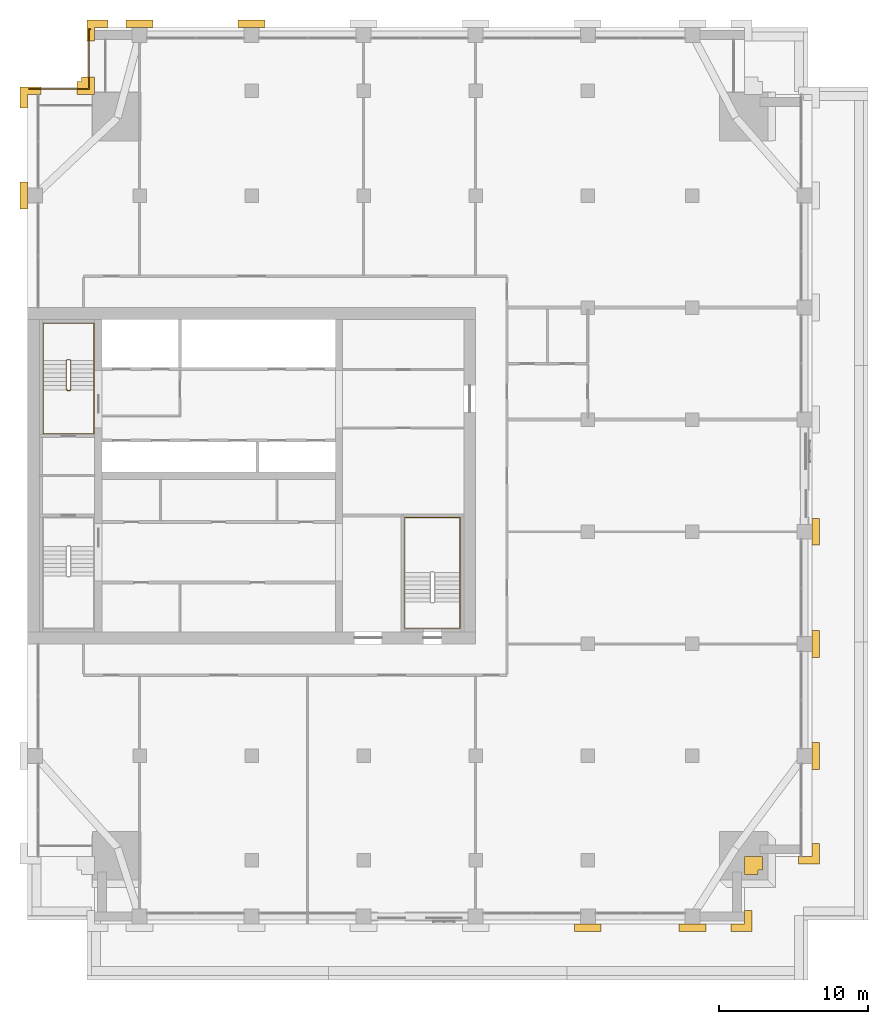
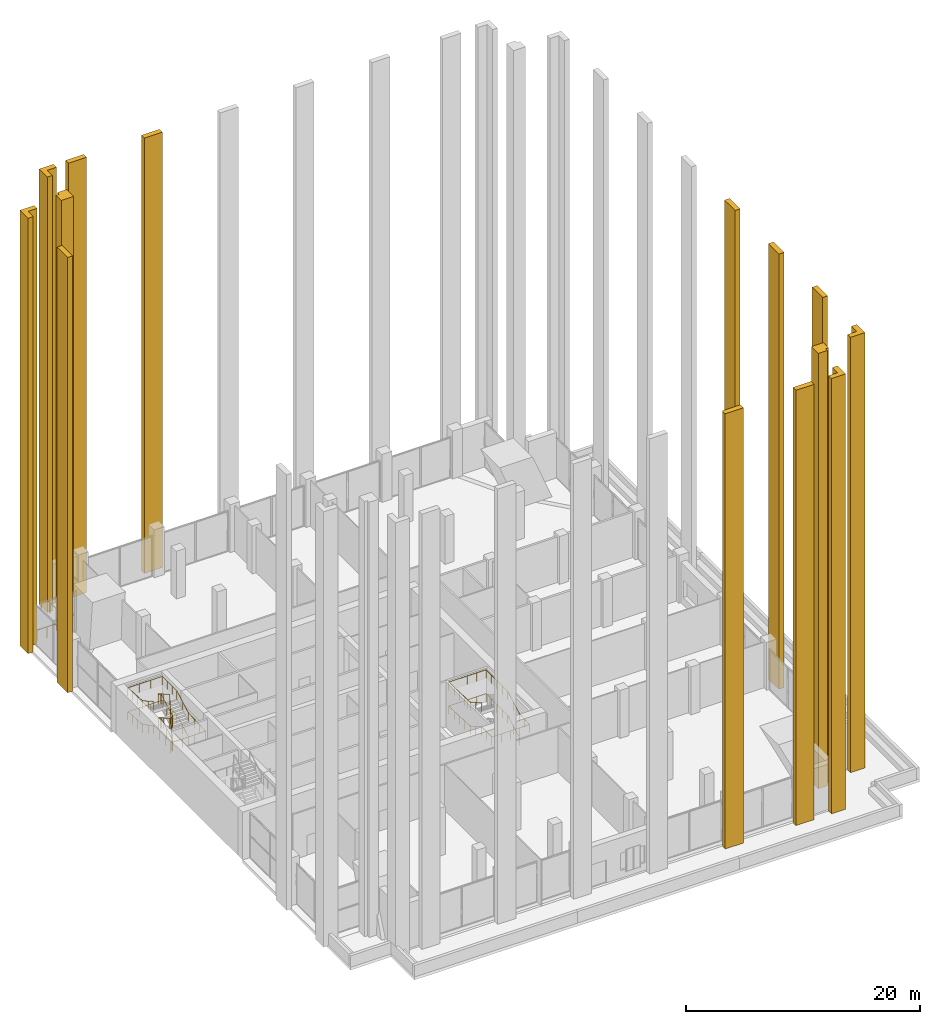
# One storey, part 18 of 19: 14 coverings, 4 railings.
"""IFC4 building model written with IfcOpenShell, lengths in metres."""

from ifc_helpers import new_model, si_unit, direction, frame, origin, origin_2d, place, context, subcontext, project, spatial, polyline, circle, outline, extrude, material, layer, layer_set, type_object, element, save


model = new_model("IFC4")

# Units and contexts
model_context = context("Model", 3, precision=1e-05, world=origin(), true_north=direction((0.0, 1.0)))
body_context = subcontext(model_context, "Body", "Model", "MODEL_VIEW")
ifc_project = project(units=[si_unit("LENGTHUNIT", "METRE"), si_unit("AREAUNIT", "SQUARE_METRE"), si_unit("VOLUMEUNIT", "CUBIC_METRE"), si_unit("PLANEANGLEUNIT", "RADIAN"), si_unit("MASSUNIT", "GRAM", prefix="KILO")], contexts=[model_context])

# Site, building, storey
site_placement = place(None, origin())
site = spatial("IfcSite", under=ifc_project, at=site_placement, CompositionType="ELEMENT")
building_placement = place(site_placement, origin())
building = spatial("IfcBuilding", under=site, at=building_placement, Name="Tamorin Gate", CompositionType="ELEMENT")
storey_placement = place(building_placement, frame((0.0, 0.0, 174.199951171875)))
storey = spatial("IfcBuildingStorey", under=building, at=storey_placement, Name="L42", CompositionType="ELEMENT", Elevation=174.199951171875)

# Coverings
ifc_material_1 = material(Name="Precast concrete C40/50", Category="concrete")
ifc_layer_1 = layer(ifc_material_1, 0.5)
ifc_layer_set_1 = layer_set([ifc_layer_1], Name="Corner pier cladding 500")
covering_type_1 = type_object("IfcCoveringType", Name="Corner pier cladding 500", PredefinedType="CLADDING", material=ifc_layer_set_1)
covering_1_placement = place(storey_placement, origin())
element("IfcCovering", 1, at=covering_1_placement, inside=storey, type_object=covering_type_1, Name="Corner pier", PredefinedType="CLADDING", context=body_context, shape_type="SweptSolid", body=[
    extrude(outline(polyline([(78.5, 40.75), (77.10009765625, 40.75), (77.10009765625, 41.25), (78.0, 41.25), (78.0, 42.14990234375), (78.5, 42.14990234375), (78.5, 40.75)])), origin(), (0.0, 0.0, 1.0), 45.5),
])
covering_2_placement = place(storey_placement, origin())
element("IfcCovering", 2, at=covering_2_placement, inside=storey, type_object=covering_type_1, Name="Corner pier", PredefinedType="CLADDING", context=body_context, shape_type="SweptSolid", body=[
    extrude(outline(polyline([(83.0, 45.25), (81.60009765625, 45.25), (81.60009765625, 45.75), (82.5, 45.75), (82.5, 46.64990234375), (83.0, 46.64990234375), (83.0, 45.25)])), origin(), (0.0, 0.0, 1.0), 45.5),
])
covering_3_placement = place(storey_placement, origin())
element("IfcCovering", 3, at=covering_3_placement, inside=storey, type_object=covering_type_1, Name="Corner pier", PredefinedType="CLADDING", context=body_context, shape_type="SweptSolid", body=[
    extrude(outline(polyline([(34.0, 101.75), (35.39990234375, 101.75), (35.39990234375, 101.25), (34.5, 101.25), (34.5, 100.35009765625), (34.0, 100.35009765625), (34.0, 101.75)])), origin(), (0.0, 0.0, 1.0), 45.5),
])
covering_4_placement = place(storey_placement, origin())
element("IfcCovering", 4, at=covering_4_placement, inside=storey, type_object=covering_type_1, Name="Corner pier", PredefinedType="CLADDING", context=body_context, shape_type="SweptSolid", body=[
    extrude(outline(polyline([(29.5, 97.25), (30.89990234375, 97.25), (30.89990234375, 96.75), (30.0, 96.75), (30.0, 95.85009765625), (29.5, 95.85009765625), (29.5, 97.25)])), origin(), (0.0, 0.0, 1.0), 45.5),
])
ifc_layer_2 = layer(ifc_material_1, 0.89990234375)
ifc_layer_set_2 = layer_set([ifc_layer_2], Name="Corner pier cladding 900")
covering_type_2 = type_object("IfcCoveringType", Name="Corner pier cladding 900", PredefinedType="CLADDING", material=ifc_layer_set_2)
covering_5_placement = place(storey_placement, origin())
element("IfcCovering", 5, at=covering_5_placement, inside=storey, type_object=covering_type_2, Name="Corner pier", PredefinedType="CLADDING", context=body_context, shape_type="SweptSolid", body=[
    extrude(outline(polyline([(78.89990234375, 44.85009765625), (78.89990234375, 44.550048828125), (78.0, 44.550048828125), (78.0, 45.75), (79.199951171875, 45.75), (79.199951171875, 44.85009765625), (78.89990234375, 44.85009765625)])), origin(), (0.0, 0.0, 1.0), 45.5),
])
covering_6_placement = place(storey_placement, origin())
element("IfcCovering", 6, at=covering_6_placement, inside=storey, type_object=covering_type_2, Name="Corner pier", PredefinedType="CLADDING", context=body_context, shape_type="SweptSolid", body=[
    extrude(outline(polyline([(33.60009765625, 97.64990234375), (33.60009765625, 97.949951171875), (34.5, 97.949951171875), (34.5, 96.75), (33.300048828125, 96.75), (33.300048828125, 97.64990234375), (33.60009765625, 97.64990234375)])), origin(), (0.0, 0.0, 1.0), 45.5),
])
ifc_layer_3 = layer(ifc_material_1, 0.5)
ifc_layer_set_3 = layer_set([ifc_layer_3], Name="Precast concrete C40/50")
covering_type_3 = type_object("IfcCoveringType", Name="Precast pier 1800x500", PredefinedType="CLADDING", material=ifc_layer_set_3)
covering_7_placement = place(storey_placement, origin())
element("IfcCovering", 7, at=covering_7_placement, inside=storey, type_object=covering_type_3, Name="Precast pier", PredefinedType="CLADDING", context=body_context, shape_type="SweptSolid", body=[
    extrude(outline(polyline([(66.60009765625, 41.25), (68.39990234375, 41.25), (68.39990234375, 40.75), (66.60009765625, 40.75), (66.60009765625, 41.25)])), origin(), (0.0, 0.0, 1.0), 45.5),
])
covering_8_placement = place(storey_placement, origin())
element("IfcCovering", 8, at=covering_8_placement, inside=storey, type_object=covering_type_3, Name="Precast pier", PredefinedType="CLADDING", context=body_context, shape_type="SweptSolid", body=[
    extrude(outline(polyline([(73.60009765625, 41.25), (75.39990234375, 41.25), (75.39990234375, 40.75), (73.60009765625, 40.75), (73.60009765625, 41.25)])), origin(), (0.0, 0.0, 1.0), 45.5),
])
covering_9_placement = place(storey_placement, origin())
element("IfcCovering", 9, at=covering_9_placement, inside=storey, type_object=covering_type_3, Name="Precast pier", PredefinedType="CLADDING", context=body_context, shape_type="SweptSolid", body=[
    extrude(outline(polyline([(38.39990234375, 101.25), (36.60009765625, 101.25), (36.60009765625, 101.75), (38.39990234375, 101.75), (38.39990234375, 101.25)])), origin(), (0.0, 0.0, 1.0), 45.5),
])
covering_10_placement = place(storey_placement, origin())
element("IfcCovering", 10, at=covering_10_placement, inside=storey, type_object=covering_type_3, Name="Precast pier", PredefinedType="CLADDING", context=body_context, shape_type="SweptSolid", body=[
    extrude(outline(polyline([(45.89990234375, 101.25), (44.10009765625, 101.25), (44.10009765625, 101.75), (45.89990234375, 101.75), (45.89990234375, 101.25)])), origin(), (0.0, 0.0, 1.0), 45.5),
])
covering_11_placement = place(storey_placement, origin())
element("IfcCovering", 11, at=covering_11_placement, inside=storey, type_object=covering_type_3, Name="Precast pier", PredefinedType="CLADDING", context=body_context, shape_type="SweptSolid", body=[
    extrude(outline(polyline([(30.0, 90.89990234375), (30.0, 89.10009765625), (29.5, 89.10009765625), (29.5, 90.89990234375), (30.0, 90.89990234375)])), origin(), (0.0, 0.0, 1.0), 45.5),
])
covering_12_placement = place(storey_placement, origin())
element("IfcCovering", 12, at=covering_12_placement, inside=storey, type_object=covering_type_3, Name="Precast pier", PredefinedType="CLADDING", context=body_context, shape_type="SweptSolid", body=[
    extrude(outline(polyline([(82.5, 51.60009765625), (82.5, 53.39990234375), (83.0, 53.39990234375), (83.0, 51.60009765625), (82.5, 51.60009765625)])), origin(), (0.0, 0.0, 1.0), 45.5),
])
covering_13_placement = place(storey_placement, origin())
element("IfcCovering", 13, at=covering_13_placement, inside=storey, type_object=covering_type_3, Name="Precast pier", PredefinedType="CLADDING", context=body_context, shape_type="SweptSolid", body=[
    extrude(outline(polyline([(82.5, 59.10009765625), (82.5, 60.89990234375), (83.0, 60.89990234375), (83.0, 59.10009765625), (82.5, 59.10009765625)])), origin(), (0.0, 0.0, 1.0), 45.5),
])
covering_14_placement = place(storey_placement, origin())
element("IfcCovering", 14, at=covering_14_placement, inside=storey, type_object=covering_type_3, Name="Precast pier", PredefinedType="CLADDING", context=body_context, shape_type="SweptSolid", body=[
    extrude(outline(polyline([(82.5, 66.60009765625), (82.5, 68.39990234375), (83.0, 68.39990234375), (83.0, 66.60009765625), (82.5, 66.60009765625)])), origin(), (0.0, 0.0, 1.0), 45.5),
])

# Railings
ifc_material_2 = material(Name="Painted steel balustrade", Category="steel")
railing_type_1 = type_object("IfcRailingType", Name="Stair guard 1100", PredefinedType="GUARDRAIL", material=ifc_material_2)
railing_1_placement = place(storey_placement, frame((32.89990234375, 77.0, 0.15625)))
element("IfcRailing", 15, at=railing_1_placement, inside=storey, type_object=railing_type_1, Name="L42 ST2 stair guard 1", PredefinedType="GUARDRAIL", context=body_context, shape_type="SweptSolid", body=[
    extrude(circle(Radius=0.02392578125, at=origin_2d()), frame((0.0, 0.0, 1.076171875), z_axis=(0.0, 0.873232148454, 0.487304437602), x_axis=(-1.0, 0.0, 0.0)), (0.0, 0.0, 1.0), 2.244384765625),
    extrude(circle(Radius=0.02392578125, at=origin_2d()), frame((0.0, 1.9599609375, 2.169921875), z_axis=(-0.705375805398, 0.708833529934, 0.0), x_axis=(-0.708833529934, -0.705375805398, 0.0)), (0.0, 0.0, 1.0), 0.070556640625),
    extrude(circle(Radius=0.02392578125, at=origin_2d()), frame((-0.0498046875, 2.010009765625, 2.169921875), z_axis=(-1.0, 0.0, 0.0), x_axis=(0.0, -1.0, 0.0)), (0.0, 0.0, 1.0), 0.2001953125),
    extrude(circle(Radius=0.02392578125, at=origin_2d()), frame((-0.25, 2.010009765625, 2.169921875), z_axis=(-0.290469530425, -0.291893400672, 0.911276958196), x_axis=(0.708833529934, -0.705375805398, 0.0)), (0.0, 0.0, 1.0), 0.17138671875),
    extrude(circle(Radius=0.02392578125, at=origin_2d()), frame((-0.2998046875, 1.9599609375, 2.326171875), z_axis=(0.0, -0.873232148454, 0.487304437602), x_axis=(1.0, 0.0, 0.0)), (0.0, 0.0, 1.0), 2.244384765625),
    extrude(circle(Radius=0.02392578125, at=origin_2d()), frame((-0.2998046875, 0.0, 3.419921875), z_axis=(0.98054382908, -0.196300278283, 0.0), x_axis=(0.196300278283, 0.98054382908, 0.0)), (0.0, 0.0, 1.0), 0.2548828125),
    extrude(circle(Radius=0.02392578125, at=origin_2d()), frame((-0.0498046875, -0.050048828125, 3.419921875), z_axis=(-1.0, 0.0, 0.0), x_axis=(0.0, -1.0, 0.0)), (0.0, 0.0, 1.0), 0.2001953125),
    extrude(circle(Radius=0.02392578125, at=origin_2d()), frame((-0.25, -0.050048828125, 3.419921875), z_axis=(0.836036486302, 0.167370585637, 0.522522803939), x_axis=(-0.196300278283, 0.98054382908, 0.0)), (0.0, 0.0, 1.0), 0.299072265625),
    extrude(circle(Radius=0.02392578125, at=origin_2d()), frame((0.0, 0.0, 3.576171875), z_axis=(0.0, 0.873232148454, 0.487304437602), x_axis=(-1.0, 0.0, 0.0)), (0.0, 0.0, 1.0), 2.244384765625),
    extrude(circle(Radius=0.02392578125, at=origin_2d()), frame((0.0, 1.9599609375, 4.669921875), z_axis=(-0.705375805398, 0.708833529934, 0.0), x_axis=(-0.708833529934, -0.705375805398, 0.0)), (0.0, 0.0, 1.0), 0.070556640625),
    extrude(circle(Radius=0.02392578125, at=origin_2d()), frame((-0.0498046875, 2.010009765625, 4.669921875), z_axis=(-1.0, 0.0, 0.0), x_axis=(0.0, -1.0, 0.0)), (0.0, 0.0, 1.0), 0.2001953125),
    extrude(circle(Radius=0.02392578125, at=origin_2d()), frame((-0.25, 2.010009765625, 4.669921875), z_axis=(-0.290469530425, -0.291893400672, 0.911276958196), x_axis=(0.708833529934, -0.705375805398, 0.0)), (0.0, 0.0, 1.0), 0.17138671875),
    extrude(circle(Radius=0.02392578125, at=origin_2d()), frame((-0.2998046875, 1.9599609375, 4.826171875), z_axis=(0.0, -0.873232148454, 0.487304437602), x_axis=(1.0, 0.0, 0.0)), (0.0, 0.0, 1.0), 2.244384765625),
    extrude(circle(Radius=0.02392578125, at=origin_2d()), frame((-0.2998046875, 0.0, 5.919921875), z_axis=(0.04993512161, -0.009996777275, -0.998702432196), x_axis=(0.196300278283, 0.98054382908, 0.0)), (0.0, 0.0, 1.0), 5.006591796875),
    extrude(circle(Radius=0.02392578125, at=origin_2d()), frame((-0.0498046875, -0.050048828125, 0.919921875), z_axis=(-1.0, 0.0, 0.0), x_axis=(0.0, -1.0, 0.0)), (0.0, 0.0, 1.0), 0.2001953125),
    extrude(circle(Radius=0.02099609375, at=origin_2d()), origin(), (0.0, 0.0, 1.0), 1.052001953125),
    extrude(circle(Radius=0.02099609375, at=origin_2d()), frame((0.0, 0.97998046875, 0.546875)), (0.0, 0.0, 1.0), 1.052001953125),
    extrude(circle(Radius=0.02099609375, at=origin_2d()), frame((0.0, 1.9599609375, 1.09375)), (0.0, 0.0, 1.0), 1.052001953125),
    extrude(circle(Radius=0.02099609375, at=origin_2d()), frame((-0.0498046875, 2.010009765625, 1.09375)), (0.0, 0.0, 1.0), 1.052001953125),
    extrude(circle(Radius=0.02099609375, at=origin_2d()), frame((-0.25, 2.010009765625, 1.09375)), (0.0, 0.0, 1.0), 1.052001953125),
    extrude(circle(Radius=0.02099609375, at=origin_2d()), frame((-0.2998046875, 1.9599609375, 1.25)), (0.0, 0.0, 1.0), 1.052001953125),
    extrude(circle(Radius=0.02099609375, at=origin_2d()), frame((-0.2998046875, 0.97998046875, 1.796875)), (0.0, 0.0, 1.0), 1.052001953125),
    extrude(circle(Radius=0.02099609375, at=origin_2d()), frame((-0.2998046875, 0.0, 2.34375)), (0.0, 0.0, 1.0), 1.052001953125),
    extrude(circle(Radius=0.02099609375, at=origin_2d()), frame((-0.0498046875, -0.050048828125, 2.34375)), (0.0, 0.0, 1.0), 1.052001953125),
    extrude(circle(Radius=0.02099609375, at=origin_2d()), frame((-0.25, -0.050048828125, 2.34375)), (0.0, 0.0, 1.0), 1.052001953125),
    extrude(circle(Radius=0.02099609375, at=origin_2d()), frame((0.0, 0.0, 2.5)), (0.0, 0.0, 1.0), 1.052001953125),
    extrude(circle(Radius=0.02099609375, at=origin_2d()), frame((0.0, 0.97998046875, 3.046875)), (0.0, 0.0, 1.0), 1.052001953125),
    extrude(circle(Radius=0.02099609375, at=origin_2d()), frame((0.0, 1.9599609375, 3.59375)), (0.0, 0.0, 1.0), 1.052001953125),
    extrude(circle(Radius=0.02099609375, at=origin_2d()), frame((-0.0498046875, 2.010009765625, 3.59375)), (0.0, 0.0, 1.0), 1.052001953125),
    extrude(circle(Radius=0.02099609375, at=origin_2d()), frame((-0.25, 2.010009765625, 3.59375)), (0.0, 0.0, 1.0), 1.052001953125),
    extrude(circle(Radius=0.02099609375, at=origin_2d()), frame((-0.2998046875, 1.9599609375, 3.75)), (0.0, 0.0, 1.0), 1.052001953125),
    extrude(circle(Radius=0.02099609375, at=origin_2d()), frame((-0.2998046875, 0.97998046875, 4.296875)), (0.0, 0.0, 1.0), 1.052001953125),
    extrude(circle(Radius=0.02099609375, at=origin_2d()), frame((-0.2998046875, 0.0, 4.84375)), (0.0, 0.0, 1.0), 1.052001953125),
    extrude(circle(Radius=0.02099609375, at=origin_2d()), frame((-0.249755859375, -0.010009765625, 3.84375)), (0.0, 0.0, 1.0), 1.052001953125),
    extrude(circle(Radius=0.02099609375, at=origin_2d()), frame((-0.19970703125, -0.02001953125, 2.84375)), (0.0, 0.0, 1.0), 1.052001953125),
    extrude(circle(Radius=0.02099609375, at=origin_2d()), frame((-0.14990234375, -0.030029296875, 1.84375)), (0.0, 0.0, 1.0), 1.052001953125),
    extrude(circle(Radius=0.02099609375, at=origin_2d()), frame((-0.099853515625, -0.0400390625, 0.84375)), (0.0, 0.0, 1.0), 1.052001953125),
    extrude(circle(Radius=0.02099609375, at=origin_2d()), frame((-0.0498046875, -0.050048828125, -0.15625)), (0.0, 0.0, 1.0), 1.052001953125),
    extrude(circle(Radius=0.02099609375, at=origin_2d()), frame((-0.25, -0.050048828125, -0.15625)), (0.0, 0.0, 1.0), 1.052001953125),
])
ifc_material_3 = material(Name="Painted steel handrail", Category="steel")
railing_type_2 = type_object("IfcRailingType", Name="Stair handrail 900", PredefinedType="HANDRAIL", material=ifc_material_3)
railing_2_placement = place(storey_placement, frame((34.449951171875, 77.0, 0.15625)))
element("IfcRailing", 16, at=railing_2_placement, inside=storey, type_object=railing_type_2, Name="L42 ST2 stair handrail 1", PredefinedType="HANDRAIL", context=body_context, shape_type="SweptSolid", body=[
    extrude(circle(Radius=0.02392578125, at=origin_2d()), frame((0.0, 0.0, 0.8759765625), z_axis=(0.0, 0.873232148454, 0.487304437602), x_axis=(-1.0, 0.0, 0.0)), (0.0, 0.0, 1.0), 2.244384765625),
    extrude(circle(Radius=0.02392578125, at=origin_2d()), frame((0.0, 1.9599609375, 1.9697265625), z_axis=(0.0, 1.0, 0.0), x_axis=(-1.0, 0.0, 0.0)), (0.0, 0.0, 1.0), 2.489990234375),
    extrude(circle(Radius=0.02392578125, at=origin_2d()), frame((0.0, 4.449951171875, 1.9697265625), z_axis=(-1.0, 0.0, 0.0), x_axis=(0.0, -1.0, 0.0)), (0.0, 0.0, 1.0), 3.39990234375),
    extrude(circle(Radius=0.02392578125, at=origin_2d()), frame((-3.39990234375, 4.449951171875, 1.9697265625), z_axis=(0.0, -0.998036935902, 0.062628065396), x_axis=(1.0, 0.0, 0.0)), (0.0, 0.0, 1.0), 2.494873046875),
    extrude(circle(Radius=0.02392578125, at=origin_2d()), frame((-3.39990234375, 1.9599609375, 2.1259765625), z_axis=(0.0, -0.873232148454, 0.487304437602), x_axis=(1.0, 0.0, 0.0)), (0.0, 0.0, 1.0), 2.244384765625),
    extrude(circle(Radius=0.02392578125, at=origin_2d()), frame((-3.39990234375, 0.0, 3.2197265625), z_axis=(0.0, -1.0, 0.0), x_axis=(1.0, 0.0, 0.0)), (0.0, 0.0, 1.0), 2.949951171875),
    extrude(circle(Radius=0.02392578125, at=origin_2d()), frame((-3.39990234375, -2.949951171875, 3.2197265625), z_axis=(1.0, 0.0, 0.0), x_axis=(0.0, 1.0, 0.0)), (0.0, 0.0, 1.0), 3.39990234375),
    extrude(circle(Radius=0.02392578125, at=origin_2d()), frame((0.0, -2.949951171875, 3.2197265625), z_axis=(0.0, 0.998600194279, 0.05289283492), x_axis=(-1.0, 0.0, 0.0)), (0.0, 0.0, 1.0), 2.9541015625),
    extrude(circle(Radius=0.02392578125, at=origin_2d()), frame((0.0, 0.0, 3.3759765625), z_axis=(0.0, 0.873232148454, 0.487304437602), x_axis=(-1.0, 0.0, 0.0)), (0.0, 0.0, 1.0), 2.244384765625),
    extrude(circle(Radius=0.02392578125, at=origin_2d()), frame((0.0, 1.9599609375, 4.4697265625), z_axis=(0.0, 1.0, 0.0), x_axis=(-1.0, 0.0, 0.0)), (0.0, 0.0, 1.0), 2.489990234375),
    extrude(circle(Radius=0.02392578125, at=origin_2d()), frame((0.0, 4.449951171875, 4.4697265625), z_axis=(-1.0, 0.0, 0.0), x_axis=(0.0, -1.0, 0.0)), (0.0, 0.0, 1.0), 3.39990234375),
    extrude(circle(Radius=0.02392578125, at=origin_2d()), frame((-3.39990234375, 4.449951171875, 4.4697265625), z_axis=(0.0, -0.998036935902, 0.062628065396), x_axis=(1.0, 0.0, 0.0)), (0.0, 0.0, 1.0), 2.494873046875),
    extrude(circle(Radius=0.02392578125, at=origin_2d()), frame((-3.39990234375, 1.9599609375, 4.6259765625), z_axis=(0.0, -0.873232148454, 0.487304437602), x_axis=(1.0, 0.0, 0.0)), (0.0, 0.0, 1.0), 2.244384765625),
    extrude(circle(Radius=0.02099609375, at=origin_2d()), origin(), (0.0, 0.0, 1.0), 0.851806640625),
    extrude(circle(Radius=0.02099609375, at=origin_2d()), frame((0.0, 0.97998046875, 0.546875)), (0.0, 0.0, 1.0), 0.851806640625),
    extrude(circle(Radius=0.02099609375, at=origin_2d()), frame((0.0, 1.9599609375, 1.09375)), (0.0, 0.0, 1.0), 0.851806640625),
    extrude(circle(Radius=0.02099609375, at=origin_2d()), frame((0.0, 2.7900390625, 1.09375)), (0.0, 0.0, 1.0), 0.851806640625),
    extrude(circle(Radius=0.02099609375, at=origin_2d()), frame((0.0, 3.619873046875, 1.09375)), (0.0, 0.0, 1.0), 0.851806640625),
    extrude(circle(Radius=0.02099609375, at=origin_2d()), frame((0.0, 4.449951171875, 1.09375)), (0.0, 0.0, 1.0), 0.851806640625),
    extrude(circle(Radius=0.02099609375, at=origin_2d()), frame((-1.13330078125, 4.449951171875, 1.09375)), (0.0, 0.0, 1.0), 0.851806640625),
    extrude(circle(Radius=0.02099609375, at=origin_2d()), frame((-2.2666015625, 4.449951171875, 1.09375)), (0.0, 0.0, 1.0), 0.851806640625),
    extrude(circle(Radius=0.02099609375, at=origin_2d()), frame((-3.39990234375, 4.449951171875, 1.09375)), (0.0, 0.0, 1.0), 0.851806640625),
    extrude(circle(Radius=0.02099609375, at=origin_2d()), frame((-3.39990234375, 3.619873046875, 1.145751953125)), (0.0, 0.0, 1.0), 0.851806640625),
    extrude(circle(Radius=0.02099609375, at=origin_2d()), frame((-3.39990234375, 2.7900390625, 1.197998046875)), (0.0, 0.0, 1.0), 0.851806640625),
    extrude(circle(Radius=0.02099609375, at=origin_2d()), frame((-3.39990234375, 1.9599609375, 1.25)), (0.0, 0.0, 1.0), 0.851806640625),
    extrude(circle(Radius=0.02099609375, at=origin_2d()), frame((-3.39990234375, 0.97998046875, 1.796875)), (0.0, 0.0, 1.0), 0.851806640625),
    extrude(circle(Radius=0.02099609375, at=origin_2d()), frame((-3.39990234375, 0.0, 2.34375)), (0.0, 0.0, 1.0), 0.851806640625),
    extrude(circle(Radius=0.02099609375, at=origin_2d()), frame((-3.39990234375, -0.9833984375, 2.34375)), (0.0, 0.0, 1.0), 0.851806640625),
    extrude(circle(Radius=0.02099609375, at=origin_2d()), frame((-3.39990234375, -1.966552734375, 2.34375)), (0.0, 0.0, 1.0), 0.851806640625),
    extrude(circle(Radius=0.02099609375, at=origin_2d()), frame((-3.39990234375, -2.949951171875, 2.34375)), (0.0, 0.0, 1.0), 0.851806640625),
    extrude(circle(Radius=0.02099609375, at=origin_2d()), frame((-2.2666015625, -2.949951171875, 2.34375)), (0.0, 0.0, 1.0), 0.851806640625),
    extrude(circle(Radius=0.02099609375, at=origin_2d()), frame((-1.13330078125, -2.949951171875, 2.34375)), (0.0, 0.0, 1.0), 0.851806640625),
    extrude(circle(Radius=0.02099609375, at=origin_2d()), frame((0.0, -2.949951171875, 2.34375)), (0.0, 0.0, 1.0), 0.851806640625),
    extrude(circle(Radius=0.02099609375, at=origin_2d()), frame((0.0, -1.966552734375, 2.395751953125)), (0.0, 0.0, 1.0), 0.851806640625),
    extrude(circle(Radius=0.02099609375, at=origin_2d()), frame((0.0, -0.9833984375, 2.447998046875)), (0.0, 0.0, 1.0), 0.851806640625),
    extrude(circle(Radius=0.02099609375, at=origin_2d()), frame((0.0, 0.0, 2.5)), (0.0, 0.0, 1.0), 0.851806640625),
    extrude(circle(Radius=0.02099609375, at=origin_2d()), frame((0.0, 0.97998046875, 3.046875)), (0.0, 0.0, 1.0), 0.851806640625),
    extrude(circle(Radius=0.02099609375, at=origin_2d()), frame((0.0, 1.9599609375, 3.59375)), (0.0, 0.0, 1.0), 0.851806640625),
    extrude(circle(Radius=0.02099609375, at=origin_2d()), frame((0.0, 2.7900390625, 3.59375)), (0.0, 0.0, 1.0), 0.851806640625),
    extrude(circle(Radius=0.02099609375, at=origin_2d()), frame((0.0, 3.619873046875, 3.59375)), (0.0, 0.0, 1.0), 0.851806640625),
    extrude(circle(Radius=0.02099609375, at=origin_2d()), frame((0.0, 4.449951171875, 3.59375)), (0.0, 0.0, 1.0), 0.851806640625),
    extrude(circle(Radius=0.02099609375, at=origin_2d()), frame((-1.13330078125, 4.449951171875, 3.59375)), (0.0, 0.0, 1.0), 0.851806640625),
    extrude(circle(Radius=0.02099609375, at=origin_2d()), frame((-2.2666015625, 4.449951171875, 3.59375)), (0.0, 0.0, 1.0), 0.851806640625),
    extrude(circle(Radius=0.02099609375, at=origin_2d()), frame((-3.39990234375, 4.449951171875, 3.59375)), (0.0, 0.0, 1.0), 0.851806640625),
    extrude(circle(Radius=0.02099609375, at=origin_2d()), frame((-3.39990234375, 3.619873046875, 3.645751953125)), (0.0, 0.0, 1.0), 0.851806640625),
    extrude(circle(Radius=0.02099609375, at=origin_2d()), frame((-3.39990234375, 2.7900390625, 3.697998046875)), (0.0, 0.0, 1.0), 0.851806640625),
    extrude(circle(Radius=0.02099609375, at=origin_2d()), frame((-3.39990234375, 1.9599609375, 3.75)), (0.0, 0.0, 1.0), 0.851806640625),
    extrude(circle(Radius=0.02099609375, at=origin_2d()), frame((-3.39990234375, 0.97998046875, 4.296875)), (0.0, 0.0, 1.0), 0.851806640625),
    extrude(circle(Radius=0.02099609375, at=origin_2d()), frame((-3.39990234375, 0.0, 4.84375)), (0.0, 0.0, 1.0), 0.851806640625),
])
railing_3_placement = place(storey_placement, frame((58.949951171875, 62.800048828125, 0.15625)))
element("IfcRailing", 17, at=railing_3_placement, inside=storey, type_object=railing_type_2, Name="L42 ST3 stair handrail 1", PredefinedType="HANDRAIL", context=body_context, shape_type="SweptSolid", body=[
    extrude(circle(Radius=0.02392578125, at=origin_2d()), frame((0.0, 0.0, 0.8759765625), z_axis=(0.0, 0.873232148454, 0.487304437602), x_axis=(-1.0, 0.0, 0.0)), (0.0, 0.0, 1.0), 2.244384765625),
    extrude(circle(Radius=0.02392578125, at=origin_2d()), frame((0.0, 1.9599609375, 1.9697265625), z_axis=(0.0, 1.0, 0.0), x_axis=(-1.0, 0.0, 0.0)), (0.0, 0.0, 1.0), 3.68994140625),
    extrude(circle(Radius=0.02392578125, at=origin_2d()), frame((0.0, 5.64990234375, 1.9697265625), z_axis=(-1.0, 0.0, 0.0), x_axis=(0.0, -1.0, 0.0)), (0.0, 0.0, 1.0), 3.699951171875),
    extrude(circle(Radius=0.02392578125, at=origin_2d()), frame((-3.699951171875, 5.64990234375, 1.9697265625), z_axis=(0.0, -0.999104660901, 0.042306932842), x_axis=(1.0, 0.0, 0.0)), (0.0, 0.0, 1.0), 3.693359375),
    extrude(circle(Radius=0.02392578125, at=origin_2d()), frame((-3.699951171875, 1.9599609375, 2.1259765625), z_axis=(0.0, -0.873232148454, 0.487304437602), x_axis=(1.0, 0.0, 0.0)), (0.0, 0.0, 1.0), 2.244384765625),
    extrude(circle(Radius=0.02392578125, at=origin_2d()), frame((-3.699951171875, 0.0, 3.2197265625), z_axis=(0.0, -1.0, 0.0), x_axis=(1.0, 0.0, 0.0)), (0.0, 0.0, 1.0), 1.75),
    extrude(circle(Radius=0.02392578125, at=origin_2d()), frame((-3.699951171875, -1.75, 3.2197265625), z_axis=(1.0, 0.0, 0.0), x_axis=(0.0, 1.0, 0.0)), (0.0, 0.0, 1.0), 3.699951171875),
    extrude(circle(Radius=0.02392578125, at=origin_2d()), frame((0.0, -1.75, 3.2197265625), z_axis=(0.0, 0.996037705314, 0.088931937975), x_axis=(-1.0, 0.0, 0.0)), (0.0, 0.0, 1.0), 1.757080078125),
    extrude(circle(Radius=0.02392578125, at=origin_2d()), frame((0.0, 0.0, 3.3759765625), z_axis=(0.0, 0.873232148454, 0.487304437602), x_axis=(-1.0, 0.0, 0.0)), (0.0, 0.0, 1.0), 2.244384765625),
    extrude(circle(Radius=0.02392578125, at=origin_2d()), frame((0.0, 1.9599609375, 4.4697265625), z_axis=(0.0, 1.0, 0.0), x_axis=(-1.0, 0.0, 0.0)), (0.0, 0.0, 1.0), 3.68994140625),
    extrude(circle(Radius=0.02392578125, at=origin_2d()), frame((0.0, 5.64990234375, 4.4697265625), z_axis=(-1.0, 0.0, 0.0), x_axis=(0.0, -1.0, 0.0)), (0.0, 0.0, 1.0), 3.699951171875),
    extrude(circle(Radius=0.02392578125, at=origin_2d()), frame((-3.699951171875, 5.64990234375, 4.4697265625), z_axis=(0.0, -0.999104660901, 0.042306932842), x_axis=(1.0, 0.0, 0.0)), (0.0, 0.0, 1.0), 3.693359375),
    extrude(circle(Radius=0.02392578125, at=origin_2d()), frame((-3.699951171875, 1.9599609375, 4.6259765625), z_axis=(0.0, -0.873232148454, 0.487304437602), x_axis=(1.0, 0.0, 0.0)), (0.0, 0.0, 1.0), 2.244384765625),
    extrude(circle(Radius=0.02099609375, at=origin_2d()), origin(), (0.0, 0.0, 1.0), 0.851806640625),
    extrude(circle(Radius=0.02099609375, at=origin_2d()), frame((0.0, 0.97998046875, 0.546875)), (0.0, 0.0, 1.0), 0.851806640625),
    extrude(circle(Radius=0.02099609375, at=origin_2d()), frame((0.0, 1.9599609375, 1.09375)), (0.0, 0.0, 1.0), 0.851806640625),
    extrude(circle(Radius=0.02099609375, at=origin_2d()), frame((0.0, 2.88232421875, 1.09375)), (0.0, 0.0, 1.0), 0.851806640625),
    extrude(circle(Radius=0.02099609375, at=origin_2d()), frame((0.0, 3.804931640625, 1.09375)), (0.0, 0.0, 1.0), 0.851806640625),
    extrude(circle(Radius=0.02099609375, at=origin_2d()), frame((0.0, 4.7275390625, 1.09375)), (0.0, 0.0, 1.0), 0.851806640625),
    extrude(circle(Radius=0.02099609375, at=origin_2d()), frame((0.0, 5.64990234375, 1.09375)), (0.0, 0.0, 1.0), 0.851806640625),
    extrude(circle(Radius=0.02099609375, at=origin_2d()), frame((-0.925048828125, 5.64990234375, 1.09375)), (0.0, 0.0, 1.0), 0.851806640625),
    extrude(circle(Radius=0.02099609375, at=origin_2d()), frame((-1.85009765625, 5.64990234375, 1.09375)), (0.0, 0.0, 1.0), 0.851806640625),
    extrude(circle(Radius=0.02099609375, at=origin_2d()), frame((-2.77490234375, 5.64990234375, 1.09375)), (0.0, 0.0, 1.0), 0.851806640625),
    extrude(circle(Radius=0.02099609375, at=origin_2d()), frame((-3.699951171875, 5.64990234375, 1.09375)), (0.0, 0.0, 1.0), 0.851806640625),
    extrude(circle(Radius=0.02099609375, at=origin_2d()), frame((-3.699951171875, 4.7275390625, 1.1328125)), (0.0, 0.0, 1.0), 0.851806640625),
    extrude(circle(Radius=0.02099609375, at=origin_2d()), frame((-3.699951171875, 3.804931640625, 1.171875)), (0.0, 0.0, 1.0), 0.851806640625),
    extrude(circle(Radius=0.02099609375, at=origin_2d()), frame((-3.699951171875, 2.88232421875, 1.2109375)), (0.0, 0.0, 1.0), 0.851806640625),
    extrude(circle(Radius=0.02099609375, at=origin_2d()), frame((-3.699951171875, 1.9599609375, 1.25)), (0.0, 0.0, 1.0), 0.851806640625),
    extrude(circle(Radius=0.02099609375, at=origin_2d()), frame((-3.699951171875, 0.97998046875, 1.796875)), (0.0, 0.0, 1.0), 0.851806640625),
    extrude(circle(Radius=0.02099609375, at=origin_2d()), frame((-3.699951171875, 0.0, 2.34375)), (0.0, 0.0, 1.0), 0.851806640625),
    extrude(circle(Radius=0.02099609375, at=origin_2d()), frame((-3.699951171875, -0.875, 2.34375)), (0.0, 0.0, 1.0), 0.851806640625),
    extrude(circle(Radius=0.02099609375, at=origin_2d()), frame((-3.699951171875, -1.75, 2.34375)), (0.0, 0.0, 1.0), 0.851806640625),
    extrude(circle(Radius=0.02099609375, at=origin_2d()), frame((-2.77490234375, -1.75, 2.34375)), (0.0, 0.0, 1.0), 0.851806640625),
    extrude(circle(Radius=0.02099609375, at=origin_2d()), frame((-1.85009765625, -1.75, 2.34375)), (0.0, 0.0, 1.0), 0.851806640625),
    extrude(circle(Radius=0.02099609375, at=origin_2d()), frame((-0.925048828125, -1.75, 2.34375)), (0.0, 0.0, 1.0), 0.851806640625),
    extrude(circle(Radius=0.02099609375, at=origin_2d()), frame((0.0, -1.75, 2.34375)), (0.0, 0.0, 1.0), 0.851806640625),
    extrude(circle(Radius=0.02099609375, at=origin_2d()), frame((0.0, -0.875, 2.421875)), (0.0, 0.0, 1.0), 0.851806640625),
    extrude(circle(Radius=0.02099609375, at=origin_2d()), frame((0.0, 0.0, 2.5)), (0.0, 0.0, 1.0), 0.851806640625),
    extrude(circle(Radius=0.02099609375, at=origin_2d()), frame((0.0, 0.97998046875, 3.046875)), (0.0, 0.0, 1.0), 0.851806640625),
    extrude(circle(Radius=0.02099609375, at=origin_2d()), frame((0.0, 1.9599609375, 3.59375)), (0.0, 0.0, 1.0), 0.851806640625),
    extrude(circle(Radius=0.02099609375, at=origin_2d()), frame((0.0, 2.88232421875, 3.59375)), (0.0, 0.0, 1.0), 0.851806640625),
    extrude(circle(Radius=0.02099609375, at=origin_2d()), frame((0.0, 3.804931640625, 3.59375)), (0.0, 0.0, 1.0), 0.851806640625),
    extrude(circle(Radius=0.02099609375, at=origin_2d()), frame((0.0, 4.7275390625, 3.59375)), (0.0, 0.0, 1.0), 0.851806640625),
    extrude(circle(Radius=0.02099609375, at=origin_2d()), frame((0.0, 5.64990234375, 3.59375)), (0.0, 0.0, 1.0), 0.851806640625),
    extrude(circle(Radius=0.02099609375, at=origin_2d()), frame((-0.925048828125, 5.64990234375, 3.59375)), (0.0, 0.0, 1.0), 0.851806640625),
    extrude(circle(Radius=0.02099609375, at=origin_2d()), frame((-1.85009765625, 5.64990234375, 3.59375)), (0.0, 0.0, 1.0), 0.851806640625),
    extrude(circle(Radius=0.02099609375, at=origin_2d()), frame((-2.77490234375, 5.64990234375, 3.59375)), (0.0, 0.0, 1.0), 0.851806640625),
    extrude(circle(Radius=0.02099609375, at=origin_2d()), frame((-3.699951171875, 5.64990234375, 3.59375)), (0.0, 0.0, 1.0), 0.851806640625),
    extrude(circle(Radius=0.02099609375, at=origin_2d()), frame((-3.699951171875, 4.7275390625, 3.6328125)), (0.0, 0.0, 1.0), 0.851806640625),
    extrude(circle(Radius=0.02099609375, at=origin_2d()), frame((-3.699951171875, 3.804931640625, 3.671875)), (0.0, 0.0, 1.0), 0.851806640625),
    extrude(circle(Radius=0.02099609375, at=origin_2d()), frame((-3.699951171875, 2.88232421875, 3.7109375)), (0.0, 0.0, 1.0), 0.851806640625),
    extrude(circle(Radius=0.02099609375, at=origin_2d()), frame((-3.699951171875, 1.9599609375, 3.75)), (0.0, 0.0, 1.0), 0.851806640625),
    extrude(circle(Radius=0.02099609375, at=origin_2d()), frame((-3.699951171875, 0.97998046875, 4.296875)), (0.0, 0.0, 1.0), 0.851806640625),
    extrude(circle(Radius=0.02099609375, at=origin_2d()), frame((-3.699951171875, 0.0, 4.84375)), (0.0, 0.0, 1.0), 0.851806640625),
])
ifc_material_4 = material(Name="Stainless steel", Category="steel")
railing_type_3 = type_object("IfcRailingType", Name="Terrace guard 1150", PredefinedType="GUARDRAIL", material=ifc_material_4)
railing_4_placement = place(storey_placement, frame((30.1201171875, 97.1298828125, 0.0)))
element("IfcRailing", 18, at=railing_4_placement, inside=storey, type_object=railing_type_3, Name="Deck edge guard", PredefinedType="GUARDRAIL", context=body_context, shape_type="SweptSolid", body=[
    extrude(circle(Radius=0.02392578125, at=origin_2d()), frame((0.0, 0.0, 1.1259765625), z_axis=(1.0, 0.0, 0.0), x_axis=(0.0, 1.0, 0.0)), (0.0, 0.0, 1.0), 4.0),
    extrude(circle(Radius=0.02392578125, at=origin_2d()), frame((4.0, 0.0, 1.1259765625), z_axis=(0.0, 1.0, 0.0), x_axis=(-1.0, 0.0, 0.0)), (0.0, 0.0, 1.0), 4.0),
    extrude(circle(Radius=0.02392578125, at=origin_2d()), frame((4.0, 4.0, 1.1259765625), z_axis=(1.0, 0.0, 0.0), x_axis=(0.0, 1.0, 0.0)), (0.0, 0.0, 1.0), 0.079833984375),
    extrude(circle(Radius=0.02099609375, at=origin_2d()), origin(), (0.0, 0.0, 1.0), 1.101806640625),
    extrude(circle(Radius=0.02099609375, at=origin_2d()), frame((1.0, 0.0, 0.0)), (0.0, 0.0, 1.0), 1.101806640625),
    extrude(circle(Radius=0.02099609375, at=origin_2d()), frame((2.0, 0.0, 0.0)), (0.0, 0.0, 1.0), 1.101806640625),
    extrude(circle(Radius=0.02099609375, at=origin_2d()), frame((3.0, 0.0, 0.0)), (0.0, 0.0, 1.0), 1.101806640625),
    extrude(circle(Radius=0.02099609375, at=origin_2d()), frame((4.0, 0.0, 0.0)), (0.0, 0.0, 1.0), 1.101806640625),
    extrude(circle(Radius=0.02099609375, at=origin_2d()), frame((4.0, 1.0, 0.0)), (0.0, 0.0, 1.0), 1.101806640625),
    extrude(circle(Radius=0.02099609375, at=origin_2d()), frame((4.0, 2.0, 0.0)), (0.0, 0.0, 1.0), 1.101806640625),
    extrude(circle(Radius=0.02099609375, at=origin_2d()), frame((4.0, 3.0, 0.0)), (0.0, 0.0, 1.0), 1.101806640625),
    extrude(circle(Radius=0.02099609375, at=origin_2d()), frame((4.0, 4.0, 0.0)), (0.0, 0.0, 1.0), 1.101806640625),
    extrude(circle(Radius=0.02099609375, at=origin_2d()), frame((4.079833984375, 4.0, 0.0)), (0.0, 0.0, 1.0), 1.101806640625),
])

save(model, "model.ifc")
